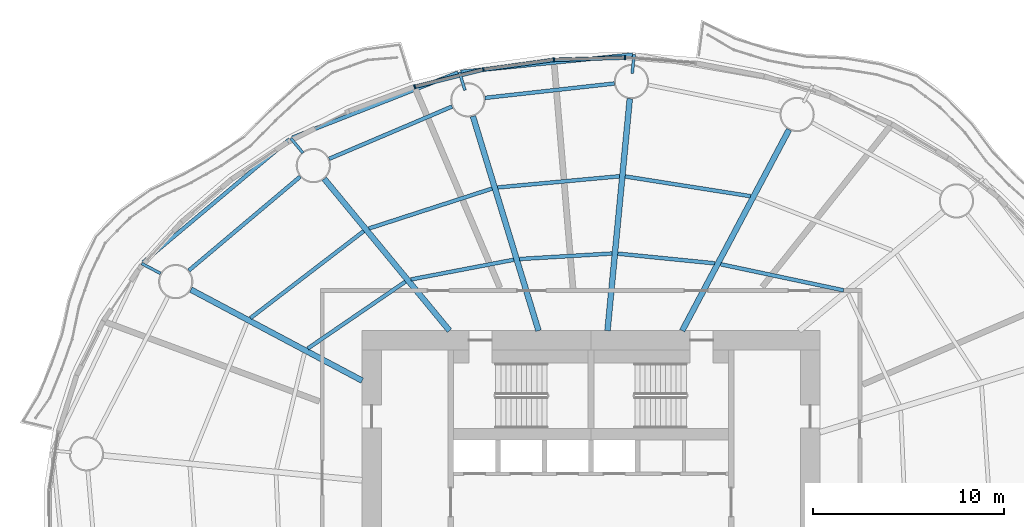
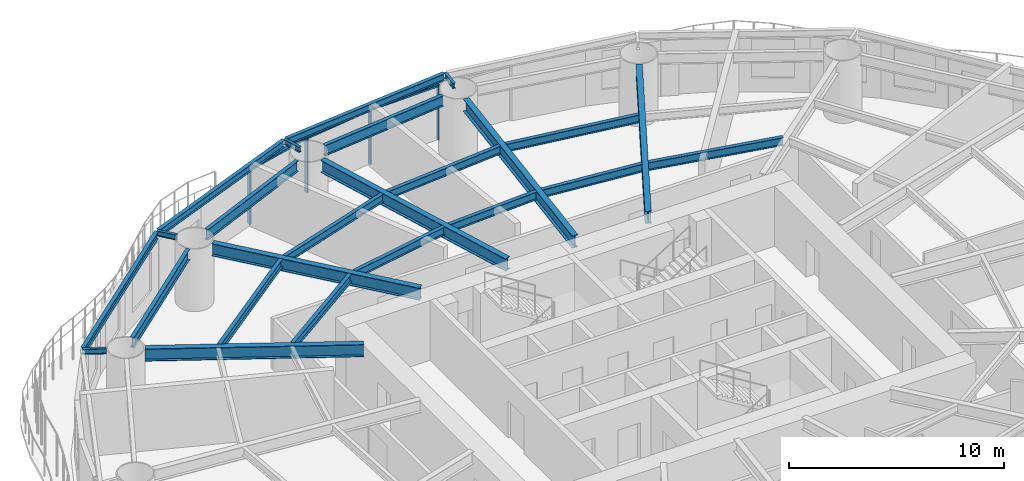
# One storey, part 5 of 17: 24 beams, 7 members, 3 elements without a shape of their own.
"""IFC4 building model written with IfcOpenShell, lengths in metres."""

from ifc_helpers import new_model, si_unit, direction, frame, origin, origin_2d, place, context, subcontext, project, spatial, rectangle, i_section, extrude, material, material_profile, profile_set, type_object, element, aggregate, save


model = new_model("IFC4")

# Units and contexts
model_context = context("Model", 3, precision=1e-05, world=origin(), true_north=direction((0.0, 1.0)))
body_context = subcontext(model_context, "Body", "Model", "MODEL_VIEW")
ifc_project = project(units=[si_unit("LENGTHUNIT", "METRE"), si_unit("AREAUNIT", "SQUARE_METRE"), si_unit("VOLUMEUNIT", "CUBIC_METRE"), si_unit("PLANEANGLEUNIT", "RADIAN"), si_unit("MASSUNIT", "GRAM", prefix="KILO")], contexts=[model_context])

# Site, building, storey
site_placement = place(None, origin())
site = spatial("IfcSite", under=ifc_project, at=site_placement, CompositionType="ELEMENT")
building_placement = place(site_placement, origin())
building = spatial("IfcBuilding", under=site, at=building_placement, Name="Vermilion Reach Broadcast Tower", CompositionType="ELEMENT")
storey_placement = place(building_placement, frame((0.0, 0.0, 54.5)))
storey = spatial("IfcBuildingStorey", under=building, at=storey_placement, Name="L10", CompositionType="ELEMENT", Elevation=54.5)

# Beams
ifc_material_1 = material(Name="Steel S355J2", Category="steel")
ifc_material_profile_1 = material_profile(ifc_material_1, i_section(OverallWidth=0.199951171875, OverallDepth=0.39990234375, WebThickness=0.008056640625, FlangeThickness=0.012939453125, at=origin_2d()), Name="S355J2 HN 400x200x8x13")
ifc_profile_set_1 = profile_set([ifc_material_profile_1], Name="Steel S355J2")
beam_type_1 = type_object("IfcBeamType", Name="EB1 HN 400x200x8x13", PredefinedType="BEAM", material=ifc_profile_set_1)
beam_1_placement = place(storey_placement, frame((-3.818603515625, 23.4794921875, 3.35009765625), z_axis=(-0.994950308278, -0.100368740444, 0.0), x_axis=(0.100368740444, -0.994950308278, 0.0)))
element("IfcBeam", 1, at=beam_1_placement, inside=storey, type_object=beam_type_1, Name="Edge beam EB1-04", PredefinedType="BEAM", context=body_context, shape_type="SweptSolid", body=[
    extrude(i_section(OverallWidth=0.199951171875, OverallDepth=0.39990234375, WebThickness=0.008056640625, FlangeThickness=0.012939453125, at=origin_2d()), origin(), (0.0, 0.0, 1.0), 9.053466796875),
])
beam_2_placement = place(storey_placement, frame((-12.97265625, 22.53564453125, 3.35009765625), z_axis=(-0.930806107758, -0.365513323642, 0.0), x_axis=(0.365513323642, -0.930806107758, 0.0)))
element("IfcBeam", 2, at=beam_2_placement, inside=storey, type_object=beam_type_1, Name="Edge beam EB1-05", PredefinedType="BEAM", context=body_context, shape_type="SweptSolid", body=[
    extrude(i_section(OverallWidth=0.199951171875, OverallDepth=0.39990234375, WebThickness=0.008056640625, FlangeThickness=0.012939453125, at=origin_2d()), origin(), (0.0, 0.0, 1.0), 9.34375),
])
beam_3_placement = place(storey_placement, frame((-21.80078125, 19.043212890625, 3.35009765625), z_axis=(-0.765615894979, -0.643297987993, 0.0), x_axis=(0.643297987993, -0.765615894979, 0.0)))
element("IfcBeam", 3, at=beam_3_placement, inside=storey, type_object=beam_type_1, Name="Edge beam EB1-06", PredefinedType="BEAM", context=body_context, shape_type="SweptSolid", body=[
    extrude(i_section(OverallWidth=0.199951171875, OverallDepth=0.39990234375, WebThickness=0.008056640625, FlangeThickness=0.012939453125, at=origin_2d()), origin(), (0.0, 0.0, 1.0), 10.0556640625),
])
ifc_material_2 = material(Name="Steel S355J2", Category="steel")
ifc_material_profile_2 = material_profile(ifc_material_2, i_section(OverallWidth=0.300048828125, OverallDepth=0.699951171875, WebThickness=0.012939453125, FlangeThickness=0.02392578125, at=origin_2d()), Name="S355J2 HN 700x300x13x24")
ifc_profile_set_2 = profile_set([ifc_material_profile_2], Name="Steel S355J2")
beam_type_2 = type_object("IfcBeamType", Name="G1 HN 700x300x13x24", PredefinedType="BEAM", material=ifc_profile_set_2)
beam_4_placement = place(storey_placement, frame((-1.216552734375, 9.0, 3.199951171875), z_axis=(0.469312182262, 0.883032318537, 0.0), x_axis=(-0.883032318537, 0.469312182262, 0.0)))
element("IfcBeam", 4, at=beam_4_placement, inside=storey, type_object=beam_type_2, Name="Girder G1-03", PredefinedType="BEAM", context=body_context, shape_type="SweptSolid", body=[
    extrude(i_section(OverallWidth=0.300048828125, OverallDepth=0.699951171875, WebThickness=0.012939453125, FlangeThickness=0.02392578125, at=origin_2d()), origin(), (0.0, 0.0, 1.0), 11.94091796875),
])
beam_5_placement = place(storey_placement, frame((-5.135009765625, 9.0, 3.199951171875), z_axis=(0.09566673912, 0.995413419151, 0.0), x_axis=(-0.995413419151, 0.09566673912, 0.0)))
element("IfcBeam", 5, at=beam_5_placement, inside=storey, type_object=beam_type_2, Name="Girder G1-04", PredefinedType="BEAM", context=body_context, shape_type="SweptSolid", body=[
    extrude(i_section(OverallWidth=0.300048828125, OverallDepth=0.699951171875, WebThickness=0.012939453125, FlangeThickness=0.02392578125, at=origin_2d()), origin(), (0.0, 0.0, 1.0), 12.22412109375),
])
beam_6_placement = place(storey_placement, frame((-8.753173828125, 9.0, 3.199951171875), z_axis=(-0.292542302886, 0.95625258223, 0.0), x_axis=(-0.95625258223, -0.292542302886, 0.0)))
element("IfcBeam", 6, at=beam_6_placement, inside=storey, type_object=beam_type_2, Name="Girder G1-05", PredefinedType="BEAM", context=body_context, shape_type="SweptSolid", body=[
    extrude(i_section(OverallWidth=0.300048828125, OverallDepth=0.699951171875, WebThickness=0.012939453125, FlangeThickness=0.02392578125, at=origin_2d()), origin(), (0.0, 0.0, 1.0), 11.76220703125),
])
beam_7_placement = place(storey_placement, frame((-13.421630859375, 9.0, 3.199951171875), z_axis=(-0.636215165107, 0.77151167437, 0.0), x_axis=(-0.77151167437, -0.636215165107, 0.0)))
element("IfcBeam", 7, at=beam_7_placement, inside=storey, type_object=beam_type_2, Name="Girder G1-06", PredefinedType="BEAM", context=body_context, shape_type="SweptSolid", body=[
    extrude(i_section(OverallWidth=0.300048828125, OverallDepth=0.699951171875, WebThickness=0.012939453125, FlangeThickness=0.02392578125, at=origin_2d()), origin(), (0.0, 0.0, 1.0), 10.3251953125),
])
beam_8_placement = place(storey_placement, frame((-18.0, 6.3779296875, 3.199951171875), z_axis=(-0.883032139419, 0.469312519279, 0.0), x_axis=(-0.469312519279, -0.883032139419, 0.0)))
element("IfcBeam", 8, at=beam_8_placement, inside=storey, type_object=beam_type_2, Name="Girder G1-07", PredefinedType="BEAM", context=body_context, shape_type="SweptSolid", body=[
    extrude(i_section(OverallWidth=0.300048828125, OverallDepth=0.699951171875, WebThickness=0.012939453125, FlangeThickness=0.02392578125, at=origin_2d()), origin(), (0.0, 0.0, 1.0), 10.17529296875),
])
ifc_material_3 = material(Name="Steel S355J2", Category="steel")
ifc_material_profile_3 = material_profile(ifc_material_3, i_section(OverallWidth=0.14990234375, OverallDepth=0.300048828125, WebThickness=0.006591796875, FlangeThickness=0.009033203125, at=origin_2d()), Name="S355J2 HN 300x150x6.5x9")
ifc_profile_set_3 = profile_set([ifc_material_profile_3], Name="Steel S355J2")
beam_type_3 = type_object("IfcBeamType", Name="GS1 HN 300x150x6.5x9", PredefinedType="BEAM", material=ifc_profile_set_3)
for number, where, z_axis, x_axis, name in (
    (9, (-3.838134765625, 22.49169921875, 3.39990234375), (0.095465829939, 0.995432707577, 0.0), (-0.995432707577, 0.095465829939, 0.0), "Cantilever stub GS1-04"),
    (10, (-12.610107421875, 21.60693359375, 3.39990234375), (-0.292472824594, 0.95627383467, 0.0), (-0.95627383467, -0.292472824594, 0.0), "Cantilever stub GS1-05"),
    (11, (-21.107177734375, 18.320068359375, 3.39990234375), (-0.636237674108, 0.771493112118, 0.0), (-0.771493112118, -0.636237674108, 0.0), "Cantilever stub GS1-06"),
):
    element("IfcBeam", number, at=place(storey_placement, frame(where, z_axis=z_axis, x_axis=x_axis)), inside=storey, type_object=beam_type_3, Name=name, PredefinedType="BEAM", context=body_context, shape_type="SweptSolid", body=[
        extrude(i_section(OverallWidth=0.14990234375, OverallDepth=0.300048828125, WebThickness=0.006591796875, FlangeThickness=0.009033203125, at=origin_2d()), origin(), (0.0, 0.0, 1.0), 1.0),
    ])
beam_9_placement = place(storey_placement, frame((-28.574462890625, 11.998046875, 3.39990234375), z_axis=(-0.883053482008, 0.469272360058, 0.0), x_axis=(-0.469272360058, -0.883053482008, 0.0)))
element("IfcBeam", 12, at=beam_9_placement, inside=storey, type_object=beam_type_3, Name="Cantilever stub GS1-07", PredefinedType="BEAM", context=body_context, shape_type="SweptSolid", body=[
    extrude(i_section(OverallWidth=0.14990234375, OverallDepth=0.300048828125, WebThickness=0.006591796875, FlangeThickness=0.009033203125, at=origin_2d()), origin(), (0.0, 0.0, 1.0), 1.117431640625),
])
ifc_material_4 = material(Name="Steel S355J2", Category="steel")
ifc_material_profile_4 = material_profile(ifc_material_4, i_section(OverallWidth=0.199951171875, OverallDepth=0.60009765625, WebThickness=0.010986328125, FlangeThickness=0.01708984375, at=origin_2d()), Name="S355J2 HN 600x200x11x17")
ifc_profile_set_4 = profile_set([ifc_material_profile_4], Name="Steel S355J2")
beam_type_4 = type_object("IfcBeamType", Name="RB1 HN 600x200x11x17", PredefinedType="BEAM", material=ifc_profile_set_4)
beam_10_placement = place(storey_placement, frame((-4.77392578125, 21.964111328125, 3.25), z_axis=(-0.993851439324, -0.110721798009, 0.0), x_axis=(0.110721798009, -0.993851439324, 0.0)))
element("IfcBeam", 13, at=beam_10_placement, inside=storey, type_object=beam_type_4, Name="Ring beam RB1-04", PredefinedType="BEAM", context=body_context, shape_type="SweptSolid", body=[
    extrude(i_section(OverallWidth=0.199951171875, OverallDepth=0.60009765625, WebThickness=0.010986328125, FlangeThickness=0.01708984375, at=origin_2d()), origin(), (0.0, 0.0, 1.0), 6.8310546875),
])
beam_11_placement = place(storey_placement, frame((-13.28564453125, 20.755859375, 3.25), z_axis=(-0.920220846584, -0.391399531825, 0.0), x_axis=(0.391399531825, -0.920220846584, 0.0)))
element("IfcBeam", 14, at=beam_11_placement, inside=storey, type_object=beam_type_4, Name="Ring beam RB1-05", PredefinedType="BEAM", context=body_context, shape_type="SweptSolid", body=[
    extrude(i_section(OverallWidth=0.199951171875, OverallDepth=0.60009765625, WebThickness=0.010986328125, FlangeThickness=0.01708984375, at=origin_2d()), origin(), (0.0, 0.0, 1.0), 7.008544921875),
])
beam_12_placement = place(storey_placement, frame((-21.251220703125, 17.080322265625, 3.25), z_axis=(-0.764512441084, -0.6446089725, 0.0), x_axis=(0.6446089725, -0.764512441084, 0.0)))
element("IfcBeam", 15, at=beam_12_placement, inside=storey, type_object=beam_type_4, Name="Ring beam RB1-06", PredefinedType="BEAM", context=body_context, shape_type="SweptSolid", body=[
    extrude(i_section(OverallWidth=0.199951171875, OverallDepth=0.60009765625, WebThickness=0.010986328125, FlangeThickness=0.01708984375, at=origin_2d()), origin(), (0.0, 0.0, 1.0), 7.6396484375),
])
ifc_material_5 = material(Name="Steel S355J2", Category="steel")
ifc_material_profile_5 = material_profile(ifc_material_5, i_section(OverallWidth=0.199951171875, OverallDepth=0.449951171875, WebThickness=0.009033203125, FlangeThickness=0.013916015625, at=origin_2d()), Name="S355J2 HN 450x200x9x14")
ifc_profile_set_5 = profile_set([ifc_material_profile_5], Name="Steel S355J2")
beam_type_5 = type_object("IfcBeamType", Name="SB1 HN 450x200x9x14", PredefinedType="BEAM", material=ifc_profile_set_5)
beam_13_placement = place(storey_placement, frame((7.24560546875, 11.1171875, 3.324951171875), z_axis=(-0.978270372412, 0.207333254596, 0.0), x_axis=(-0.207333254596, -0.978270372412, 0.0)))
element("IfcBeam", 16, at=beam_13_placement, inside=storey, type_object=beam_type_5, Name="Secondary beam SB1-02-1", PredefinedType="BEAM", context=body_context, shape_type="SweptSolid", body=[
    extrude(i_section(OverallWidth=0.199951171875, OverallDepth=0.449951171875, WebThickness=0.009033203125, FlangeThickness=0.013916015625, at=origin_2d()), origin(), (0.0, 0.0, 1.0), 6.584716796875),
])
beam_14_placement = place(storey_placement, frame((0.490234375, 12.531005859375, 3.324951171875), z_axis=(-0.995010199331, 0.099773259079, 0.0), x_axis=(-0.099773259079, -0.995010199331, 0.0)))
element("IfcBeam", 17, at=beam_14_placement, inside=storey, type_object=beam_type_5, Name="Secondary beam SB1-03-1", PredefinedType="BEAM", context=body_context, shape_type="SweptSolid", body=[
    extrude(i_section(OverallWidth=0.199951171875, OverallDepth=0.449951171875, WebThickness=0.009033203125, FlangeThickness=0.013916015625, at=origin_2d()), origin(), (0.0, 0.0, 1.0), 5.111572265625),
])
beam_15_placement = place(storey_placement, frame((2.36279296875, 16.05419921875, 3.324951171875), z_axis=(-0.987829548379, 0.155540294938, 0.0), x_axis=(-0.155540294938, -0.987829548379, 0.0)))
element("IfcBeam", 18, at=beam_15_placement, inside=storey, type_object=beam_type_5, Name="Secondary beam SB1-03-2", PredefinedType="BEAM", context=body_context, shape_type="SweptSolid", body=[
    extrude(i_section(OverallWidth=0.199951171875, OverallDepth=0.449951171875, WebThickness=0.009033203125, FlangeThickness=0.013916015625, at=origin_2d()), origin(), (0.0, 0.0, 1.0), 6.650634765625),
])
beam_16_placement = place(storey_placement, frame((-4.896728515625, 13.046875, 3.324951171875), z_axis=(-0.99823410974, -0.059402543307, 0.0), x_axis=(0.059402543307, -0.99823410974, 0.0)))
element("IfcBeam", 19, at=beam_16_placement, inside=storey, type_object=beam_type_5, Name="Secondary beam SB1-04-1", PredefinedType="BEAM", context=body_context, shape_type="SweptSolid", body=[
    extrude(i_section(OverallWidth=0.199951171875, OverallDepth=0.449951171875, WebThickness=0.009033203125, FlangeThickness=0.013916015625, at=origin_2d()), origin(), (0.0, 0.0, 1.0), 4.85791015625),
])
beam_17_placement = place(storey_placement, frame((-4.50732421875, 17.09814453125, 3.324951171875), z_axis=(-0.995818616382, -0.091352521952, 0.0), x_axis=(0.091352521952, -0.995818616382, 0.0)))
element("IfcBeam", 20, at=beam_17_placement, inside=storey, type_object=beam_type_5, Name="Secondary beam SB1-04-2", PredefinedType="BEAM", context=body_context, shape_type="SweptSolid", body=[
    extrude(i_section(OverallWidth=0.199951171875, OverallDepth=0.449951171875, WebThickness=0.009033203125, FlangeThickness=0.013916015625, at=origin_2d()), origin(), (0.0, 0.0, 1.0), 6.4140625),
])
beam_18_placement = place(storey_placement, frame((-10.04833984375, 12.720703125, 3.324951171875), z_axis=(-0.982151348822, -0.188092339045, 0.0), x_axis=(0.188092339045, -0.982151348822, 0.0)))
element("IfcBeam", 21, at=beam_18_placement, inside=storey, type_object=beam_type_5, Name="Secondary beam SB1-05-1", PredefinedType="BEAM", context=body_context, shape_type="SweptSolid", body=[
    extrude(i_section(OverallWidth=0.199951171875, OverallDepth=0.449951171875, WebThickness=0.009033203125, FlangeThickness=0.013916015625, at=origin_2d()), origin(), (0.0, 0.0, 1.0), 5.4931640625),
])
beam_19_placement = place(storey_placement, frame((-11.18994140625, 16.4521484375, 3.324951171875), z_axis=(-0.951332300844, -0.308166924523, 0.0), x_axis=(0.308166924523, -0.951332300844, 0.0)))
element("IfcBeam", 22, at=beam_19_placement, inside=storey, type_object=beam_type_5, Name="Secondary beam SB1-05-2", PredefinedType="BEAM", context=body_context, shape_type="SweptSolid", body=[
    extrude(i_section(OverallWidth=0.199951171875, OverallDepth=0.449951171875, WebThickness=0.009033203125, FlangeThickness=0.013916015625, at=origin_2d()), origin(), (0.0, 0.0, 1.0), 6.787841796875),
])
beam_20_placement = place(storey_placement, frame((-15.735595703125, 11.5703125, 3.324951171875), z_axis=(-0.825140253447, -0.564927926502, 0.0), x_axis=(0.564927926502, -0.825140253447, 0.0)))
element("IfcBeam", 23, at=beam_20_placement, inside=storey, type_object=beam_type_5, Name="Secondary beam SB1-06-1", PredefinedType="BEAM", context=body_context, shape_type="SweptSolid", body=[
    extrude(i_section(OverallWidth=0.199951171875, OverallDepth=0.449951171875, WebThickness=0.009033203125, FlangeThickness=0.013916015625, at=origin_2d()), origin(), (0.0, 0.0, 1.0), 6.20458984375),
])
beam_21_placement = place(storey_placement, frame((-17.920166015625, 14.21923828125, 3.324951171875), z_axis=(-0.793349617473, -0.60876628065, 0.0), x_axis=(0.60876628065, -0.793349617473, 0.0)))
element("IfcBeam", 24, at=beam_21_placement, inside=storey, type_object=beam_type_5, Name="Secondary beam SB1-06-2", PredefinedType="BEAM", context=body_context, shape_type="SweptSolid", body=[
    extrude(i_section(OverallWidth=0.199951171875, OverallDepth=0.449951171875, WebThickness=0.009033203125, FlangeThickness=0.013916015625, at=origin_2d()), origin(), (0.0, 0.0, 1.0), 7.486328125),
])

# Curtain wall, member
ifc_material_6 = material(Name="Low-e laminated clear glass in aluminium frame", Category="aluminium")
curtain_wall_type = type_object("IfcCurtainWallType", Name="Slot curtain wall", PredefinedType="NOTDEFINED", material=ifc_material_6)
placement = place(storey_placement, origin())
curtain_wall_1 = element("IfcCurtainWall", 25, at=placement, inside=storey, type_object=curtain_wall_type, Name="Slot curtain wall L10 11", PredefinedType="NOTDEFINED")
ifc_material_7 = material(Name="Anodised aluminium", Category="aluminium")
ifc_material_profile_6 = material_profile(ifc_material_7, rectangle(XDim=0.199951171875, YDim=0.080078125, at=origin_2d()), Name="Slot mullion 80 x 200")
ifc_profile_set_6 = profile_set([ifc_material_profile_6], Name="Anodised aluminium")
member_type_1 = type_object("IfcMemberType", Name="Slot mullion 80 x 200", PredefinedType="MULLION", material=ifc_profile_set_6)
member_1_placement = place(storey_placement, frame((-4.219970703125, 23.31884765625, 0.0), z_axis=(0.0, 0.0, 1.0), x_axis=(-0.023837860738, -0.999715837824, 0.0)))
member_1 = element("IfcMember", 26, at=member_1_placement, type_object=member_type_1, Name="Slot mullion L10 11", PredefinedType="MULLION", context=body_context, shape_type="SweptSolid", body=[
    extrude(rectangle(XDim=0.199951171875, YDim=0.080078125, at=origin_2d()), origin(), (0.0, 0.0, 1.0), 3.14990234375),
])

curtain_wall_2 = element("IfcCurtainWall", 27, at=placement, inside=storey, type_object=curtain_wall_type, Name="Slot curtain wall L10 12", PredefinedType="NOTDEFINED")
member_2_placement = place(storey_placement, frame((-7.94873046875, 23.20654296875, 0.0), z_axis=(0.0, 0.0, 1.0), x_axis=(0.083677890987, -0.996492855248, 0.0)))
member_2 = element("IfcMember", 28, at=member_2_placement, type_object=member_type_1, Name="Slot mullion L10 12", PredefinedType="MULLION", context=body_context, shape_type="SweptSolid", body=[
    extrude(rectangle(XDim=0.199951171875, YDim=0.080078125, at=origin_2d()), origin(), (0.0, 0.0, 1.0), 3.14990234375),
])

# Curtain wall, members
curtain_wall_3 = element("IfcCurtainWall", 29, at=placement, inside=storey, type_object=curtain_wall_type, Name="Slot curtain wall L10 13", PredefinedType="NOTDEFINED")
member_3_placement = place(storey_placement, frame((-11.64404296875, 22.6953125, 0.0), z_axis=(0.0, 0.0, 1.0), x_axis=(0.19022536137, -0.98174045037, 0.0)))
member_3 = element("IfcMember", 30, at=member_3_placement, type_object=member_type_1, Name="Slot mullion L10 13", PredefinedType="MULLION", context=body_context, shape_type="SweptSolid", body=[
    extrude(rectangle(XDim=0.199951171875, YDim=0.080078125, at=origin_2d()), origin(), (0.0, 0.0, 1.0), 3.14990234375),
])
member_4_placement = place(storey_placement, frame((-15.241943359375, 21.79443359375, 0.0), z_axis=(0.0, 0.0, 1.0), x_axis=(0.295724776404, -0.955273184288, 0.0)))
member_4 = element("IfcMember", 31, at=member_4_placement, type_object=member_type_1, Name="Slot mullion L10 14", PredefinedType="MULLION", context=body_context, shape_type="SweptSolid", body=[
    extrude(rectangle(XDim=0.199951171875, YDim=0.080078125, at=origin_2d()), origin(), (0.0, 0.0, 1.0), 3.14990234375),
])

# Member
ifc_material_8 = material(Name="Anodised aluminium", Category="aluminium")
ifc_material_profile_7 = material_profile(ifc_material_8, rectangle(XDim=0.199951171875, YDim=0.10009765625, at=origin_2d()), Name="Slot transom 200 x 100")
ifc_profile_set_7 = profile_set([ifc_material_profile_7], Name="Anodised aluminium")
member_type_2 = type_object("IfcMemberType", Name="Slot transom 200 x 100", PredefinedType="USERDEFINED", material=ifc_profile_set_7)
member_5_placement = place(storey_placement, frame((-4.260009765625, 23.317626953125, 3.10009765625), z_axis=(-0.999546989774, -0.030096764496, 0.0), x_axis=(0.030096764496, -0.999546989774, 0.0)))
member_5 = element("IfcMember", 32, at=member_5_placement, type_object=member_type_2, Name="Slot transom L10 11.1", ObjectType="TRANSOM", PredefinedType="USERDEFINED", context=body_context, shape_type="SweptSolid", body=[
    extrude(rectangle(XDim=0.199951171875, YDim=0.10009765625, at=origin_2d()), origin(), (0.0, 0.0, 1.0), 3.650390625),
])

aggregate(curtain_wall_1, [member_1, member_5])

member_6_placement = place(storey_placement, frame((-7.98828125, 23.200927734375, 3.10009765625), z_axis=(-0.990576127079, -0.136963266828, 0.0), x_axis=(0.136963266828, -0.990576127079, 0.0)))
member_6 = element("IfcMember", 33, at=member_6_placement, type_object=member_type_2, Name="Slot transom L10 12.1", ObjectType="TRANSOM", PredefinedType="USERDEFINED", context=body_context, shape_type="SweptSolid", body=[
    extrude(rectangle(XDim=0.199951171875, YDim=0.10009765625, at=origin_2d()), origin(), (0.0, 0.0, 1.0), 3.650634765625),
])

aggregate(curtain_wall_2, [member_2, member_6])

member_7_placement = place(storey_placement, frame((-11.682861328125, 22.685791015625, 3.10009765625), z_axis=(-0.970043485071, -0.242931342298, 0.0), x_axis=(0.242931342298, -0.970043485071, 0.0)))
member_7 = element("IfcMember", 34, at=member_7_placement, type_object=member_type_2, Name="Slot transom L10 13.1", ObjectType="TRANSOM", PredefinedType="USERDEFINED", context=body_context, shape_type="SweptSolid", body=[
    extrude(rectangle(XDim=0.199951171875, YDim=0.10009765625, at=origin_2d()), origin(), (0.0, 0.0, 1.0), 3.62890625),
])

aggregate(curtain_wall_3, [member_3, member_4, member_7])

save(model, "model.ifc")
